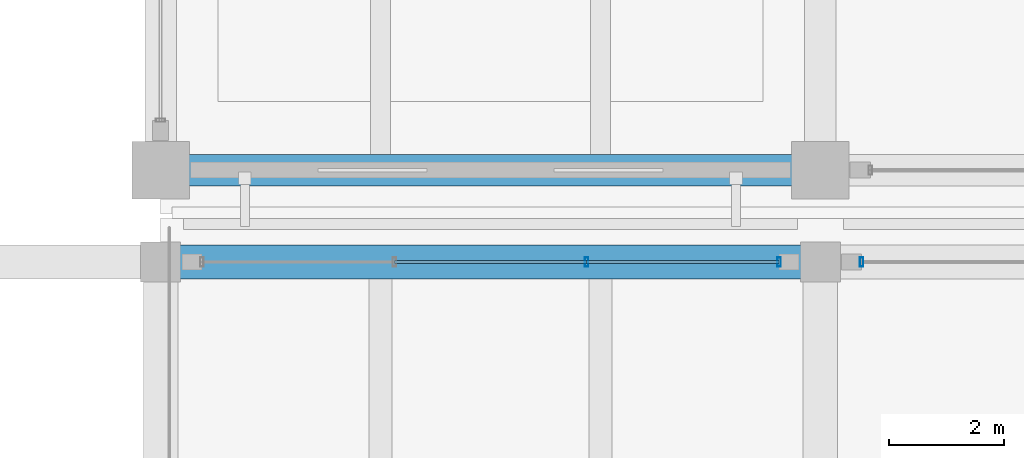
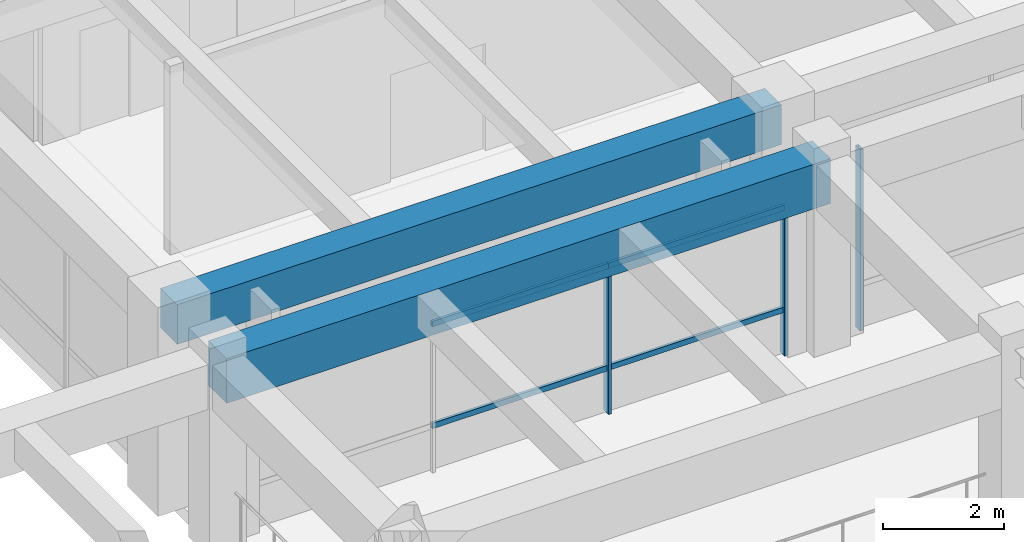
# One storey, part 36 of 98: 7 members, 2 beams, 2 elements without a shape of their own.
"""IFC4 building model written with IfcOpenShell, lengths in metres."""

from ifc_helpers import new_model, si_unit, direction, frame, origin, origin_2d, place, context, subcontext, project, spatial, rectangle, hollow_rectangle, extrude, material, material_profile, profile_set, type_object, element, aggregate, save


model = new_model("IFC4")

# Units and contexts
model_context = context("Model", 3, precision=1e-05, world=origin(), true_north=direction((0.0, 1.0)))
body_context = subcontext(model_context, "Body", "Model", "MODEL_VIEW")
ifc_project = project(units=[si_unit("LENGTHUNIT", "METRE"), si_unit("AREAUNIT", "SQUARE_METRE"), si_unit("VOLUMEUNIT", "CUBIC_METRE"), si_unit("PLANEANGLEUNIT", "RADIAN"), si_unit("MASSUNIT", "GRAM", prefix="KILO")], contexts=[model_context])

# Site, building, storey
site_placement = place(None, origin())
site = spatial("IfcSite", under=ifc_project, at=site_placement, CompositionType="ELEMENT")
building_placement = place(site_placement, origin())
building = spatial("IfcBuilding", under=site, at=building_placement, Name="Ologun Quay Terminus", CompositionType="ELEMENT")
storey_placement = place(building_placement, frame((0.0, 0.0, 4.199951171875)))
storey = spatial("IfcBuildingStorey", under=building, at=storey_placement, Name="L01", CompositionType="ELEMENT", Elevation=4.199951171875)

# Curtain wall, members
ifc_material_1 = material(Name="Aluminium 6063-T6", Category="aluminium")
curtain_wall_type = type_object("IfcCurtainWallType", Name="Forecourt Mezzanine Curtain Wall 10700x3850", PredefinedType="USERDEFINED", material=ifc_material_1)
curtain_wall_1_placement = place(storey_placement, origin())
curtain_wall_1 = element("IfcCurtainWall", 1, at=curtain_wall_1_placement, inside=storey, type_object=curtain_wall_type, Name="CW-04 Curtain Wall CW-L01-090", ObjectType="UNITISED CURTAIN WALL", PredefinedType="USERDEFINED")
ifc_material_2 = material(Name="Aluminium 6063-T6", Category="aluminium")
ifc_material_profile_1 = material_profile(ifc_material_2, hollow_rectangle(XDim=0.06005859375, YDim=0.159912109375, WallThickness=0.00390625, at=origin_2d()), Name="ALU 160x60x4")
ifc_profile_set_1 = profile_set([ifc_material_profile_1], Name="Aluminium 6063-T6")
member_type_1 = type_object("IfcMemberType", Name="Courtyard Screen Mullion 160x65", PredefinedType="MULLION", material=ifc_profile_set_1)
member_1_placement = place(storey_placement, frame((122.4267578125, 84.199951171875, 0.0), z_axis=(0.0, 0.0, 1.0), x_axis=(1.0, 0.0, 0.0)))
member_1 = element("IfcMember", 2, at=member_1_placement, type_object=member_type_1, Name="CW-L01-090 Mullion 3", PredefinedType="MULLION", context=body_context, shape_type="SweptSolid", body=[
    extrude(hollow_rectangle(XDim=0.06005859375, YDim=0.159912109375, WallThickness=0.00390625, at=origin_2d()), origin(), (0.0, 0.0, 1.0), 3.650146484375),
])
member_2_placement = place(storey_placement, frame((125.780029296875, 84.199951171875, 0.0), z_axis=(0.0, 0.0, 1.0), x_axis=(1.0, 0.0, 0.0)))
member_2 = element("IfcMember", 3, at=member_2_placement, type_object=member_type_1, Name="CW-L01-090 Mullion 4", PredefinedType="MULLION", context=body_context, shape_type="SweptSolid", body=[
    extrude(hollow_rectangle(XDim=0.06005859375, YDim=0.159912109375, WallThickness=0.00390625, at=origin_2d()), origin(), (0.0, 0.0, 1.0), 3.650146484375),
])

# Curtain wall, member
curtain_wall_2_placement = place(storey_placement, origin())
curtain_wall_2 = element("IfcCurtainWall", 4, at=curtain_wall_2_placement, inside=storey, type_object=curtain_wall_type, Name="CW-04 Curtain Wall CW-L01-091", ObjectType="UNITISED CURTAIN WALL", PredefinedType="USERDEFINED")
member_3_placement = place(storey_placement, frame((127.219970703125, 84.199951171875, 0.0), z_axis=(0.0, 0.0, 1.0), x_axis=(1.0, 0.0, 0.0)))
member_3 = element("IfcMember", 5, at=member_3_placement, type_object=member_type_1, Name="CW-L01-091 Mullion 1", PredefinedType="MULLION", context=body_context, shape_type="SweptSolid", body=[
    extrude(hollow_rectangle(XDim=0.06005859375, YDim=0.159912109375, WallThickness=0.00390625, at=origin_2d()), origin(), (0.0, 0.0, 1.0), 3.650146484375),
])
aggregate(curtain_wall_2, [member_3])

# Member
ifc_material_3 = material(Name="Aluminium 6063-T6", Category="aluminium")
ifc_material_profile_2 = material_profile(ifc_material_3, hollow_rectangle(XDim=0.054931640625, YDim=0.110107421875, WallThickness=0.00390625, at=origin_2d()), Name="ALU 110x55x4")
ifc_profile_set_2 = profile_set([ifc_material_profile_2], Name="Aluminium 6063-T6")
member_type_2 = type_object("IfcMemberType", Name="Courtyard Screen Transom 110x55", PredefinedType="USERDEFINED", material=ifc_profile_set_2)
member_4_placement = place(storey_placement, frame((119.0732421875, 84.199951171875, 0.900146484375), z_axis=(1.0, 0.0, 0.0), x_axis=(0.0, 1.0, 0.0)))
member_4 = element("IfcMember", 6, at=member_4_placement, type_object=member_type_2, Name="CW-L01-090 Transom B2-1", ObjectType="TRANSOM", PredefinedType="USERDEFINED", context=body_context, shape_type="SweptSolid", body=[
    extrude(hollow_rectangle(XDim=0.054931640625, YDim=0.110107421875, WallThickness=0.00390625, at=origin_2d()), origin(), (0.0, 0.0, 1.0), 3.353515625),
])

member_5_placement = place(storey_placement, frame((119.0732421875, 84.199951171875, 2.949951171875), z_axis=(1.0, 0.0, 0.0), x_axis=(0.0, 1.0, 0.0)))
member_5 = element("IfcMember", 7, at=member_5_placement, type_object=member_type_2, Name="CW-L01-090 Transom B2-2", ObjectType="TRANSOM", PredefinedType="USERDEFINED", context=body_context, shape_type="SweptSolid", body=[
    extrude(hollow_rectangle(XDim=0.054931640625, YDim=0.110107421875, WallThickness=0.00390625, at=origin_2d()), origin(), (0.0, 0.0, 1.0), 3.353515625),
])

member_6_placement = place(storey_placement, frame((122.4267578125, 84.199951171875, 0.900146484375), z_axis=(1.0, 0.0, 0.0), x_axis=(0.0, 1.0, 0.0)))
member_6 = element("IfcMember", 8, at=member_6_placement, type_object=member_type_2, Name="CW-L01-090 Transom B3-1", ObjectType="TRANSOM", PredefinedType="USERDEFINED", context=body_context, shape_type="SweptSolid", body=[
    extrude(hollow_rectangle(XDim=0.054931640625, YDim=0.110107421875, WallThickness=0.00390625, at=origin_2d()), origin(), (0.0, 0.0, 1.0), 3.353271484375),
])

member_7_placement = place(storey_placement, frame((122.4267578125, 84.199951171875, 2.949951171875), z_axis=(1.0, 0.0, 0.0), x_axis=(0.0, 1.0, 0.0)))
member_7 = element("IfcMember", 9, at=member_7_placement, type_object=member_type_2, Name="CW-L01-090 Transom B3-2", ObjectType="TRANSOM", PredefinedType="USERDEFINED", context=body_context, shape_type="SweptSolid", body=[
    extrude(hollow_rectangle(XDim=0.054931640625, YDim=0.110107421875, WallThickness=0.00390625, at=origin_2d()), origin(), (0.0, 0.0, 1.0), 3.353271484375),
])

aggregate(curtain_wall_1, [member_1, member_2, member_4, member_5, member_6, member_7])

# Beams
ifc_material_4 = material(Name="Concrete C40/50", Category="concrete")
ifc_material_profile_3 = material_profile(ifc_material_4, rectangle(XDim=0.550048828125, YDim=0.800048828125, at=origin_2d()), Name="RC 550x800")
ifc_profile_set_3 = profile_set([ifc_material_profile_3], Name="Concrete C40/50")
beam_type_1 = type_object("IfcBeamType", Name="Courtyard Wing Primary Girder 550x800", PredefinedType="BEAM", material=ifc_profile_set_3)
beam_1_placement = place(storey_placement, frame((115.0, 85.800048828125, 3.550048828125), z_axis=(1.0, 0.0, 0.0), x_axis=(0.0, 1.0, 0.0)))
element("IfcBeam", 10, at=beam_1_placement, inside=storey, type_object=beam_type_1, Name="B4 Beam 11/G2 L01", PredefinedType="BEAM", context=body_context, shape_type="SweptSolid", body=[
    extrude(rectangle(XDim=0.550048828125, YDim=0.800048828125, at=origin_2d()), origin(), (0.0, 0.0, 1.0), 11.5),
])
ifc_material_5 = material(Name="Concrete C40/50", Category="concrete")
ifc_material_profile_4 = material_profile(ifc_material_5, rectangle(XDim=0.60009765625, YDim=0.89990234375, at=origin_2d()), Name="RC 600x900")
ifc_profile_set_4 = profile_set([ifc_material_profile_4], Name="Concrete C40/50")
beam_type_2 = type_object("IfcBeamType", Name="Station Frame Girder 600x900", PredefinedType="BEAM", material=ifc_profile_set_4)
beam_2_placement = place(storey_placement, frame((115.0, 84.199951171875, 3.400146484375), z_axis=(1.0, 0.0, 0.0), x_axis=(0.0, 1.0, 0.0)))
element("IfcBeam", 11, at=beam_2_placement, inside=storey, type_object=beam_type_2, Name="B3 Beam 11/G1 L01", PredefinedType="BEAM", context=body_context, shape_type="SweptSolid", body=[
    extrude(rectangle(XDim=0.60009765625, YDim=0.89990234375, at=origin_2d()), origin(), (0.0, 0.0, 1.0), 11.5),
])

save(model, "model.ifc")
